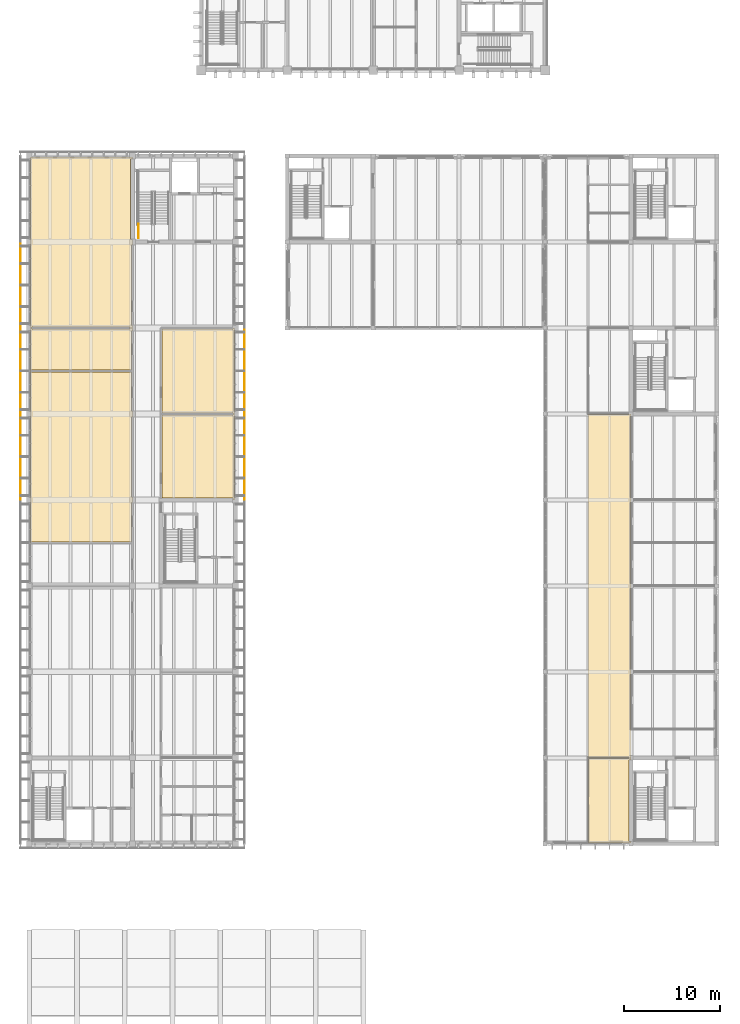
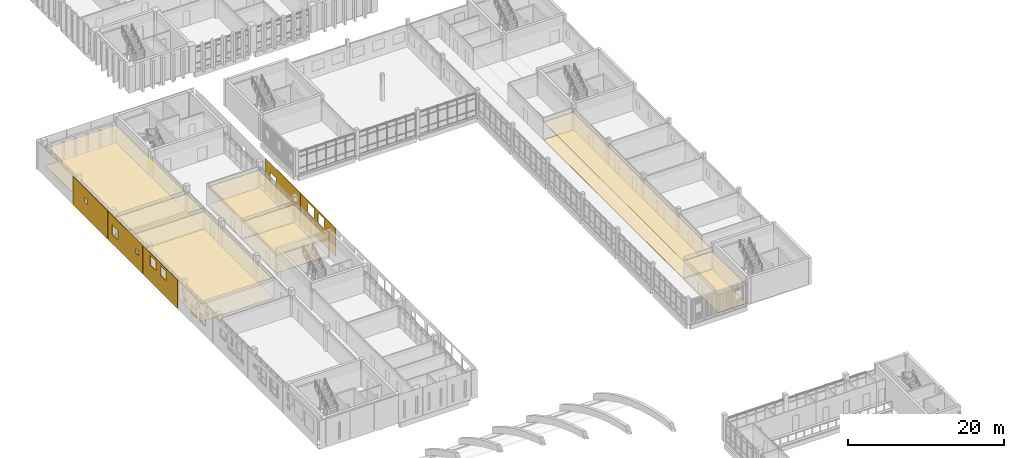
# One storey, part 76 of 88: 19 coverings, 1 railing.
"""IFC4 building model written with IfcOpenShell, lengths in metres."""

import ifcopenshell
import ifcopenshell.guid

model = None  # the IFC model being written
_history = None  # IfcOwnerHistory: only IFC2X3 demands one
_inside = {}  # id of a spatial element -> (the spatial element, [elements in it])
_under = {}  # id of a project, library or spatial element -> (it, [spatial elements below it])
_declared = {}  # id of a project -> (the project, [libraries it declares])
_typed = {}  # id of a type object -> (the type object, [elements of that type])
_made_of = {}  # id of a material, layer set ... -> (it, [elements and type objects made of it])


def new_model(schema):
    """Start an empty IFC model of exactly this schema.

    Asked for "IFC4X3", IfcOpenShell would pick the latest addendum, in which some entities
    have other attributes; the version numbers below select the first issue.
    IFC2X3 requires an IfcOwnerHistory on every rooted entity: one is made here for all.
    """
    global model, _history
    if schema == "IFC4X3":
        model = ifcopenshell.file(schema_version=(4, 3, 0, 0))
    else:
        model = ifcopenshell.file(schema=schema)
    _inside.clear()
    _under.clear()
    _declared.clear()
    _typed.clear()
    _made_of.clear()
    _history = None
    if model.schema == "IFC2X3":
        org = make("IfcOrganization", Name="unknown")
        user = make(
            "IfcPersonAndOrganization",
            ThePerson=make("IfcPerson", FamilyName="unknown"),
            TheOrganization=org,
        )
        app = make(
            "IfcApplication",
            ApplicationDeveloper=org,
            Version="unknown",
            ApplicationFullName="unknown",
            ApplicationIdentifier="unknown",
        )
        _history = make(
            "IfcOwnerHistory",
            OwningUser=user,
            OwningApplication=app,
            ChangeAction="ADDED",
            CreationDate=0,
        )
    return model


def make(cls, **values):
    """One entity of the class cls with the attributes given. An attribute that is None is left unset."""
    return model.create_entity(
        cls, **{name: value for name, value in values.items() if value is not None}
    )


def rooted(cls, **values):
    """An entity with a GlobalId (a new one), such as an element, a storey or a relation."""
    return make(cls, GlobalId=ifcopenshell.guid.new(), OwnerHistory=_history, **values)


def si_unit(unit_type, name, prefix=None):
    """IfcSIUnit, for example si_unit("LENGTHUNIT", "METRE", prefix="MILLI")."""
    return make("IfcSIUnit", UnitType=unit_type, Prefix=prefix, Name=name)


def assignment(units):
    """IfcUnitAssignment: the units of a project."""
    return None if units is None else make("IfcUnitAssignment", Units=units)


def point(xyz):
    """IfcCartesianPoint."""
    return None if xyz is None else make("IfcCartesianPoint", Coordinates=xyz)


def direction(xyz):
    """IfcDirection."""
    return None if xyz is None else make("IfcDirection", DirectionRatios=xyz)


def frame(location, z_axis=None, x_axis=None):
    """IfcAxis2Placement3D, a coordinate frame: its origin and axes. An axis left out is left unset."""
    return make(
        "IfcAxis2Placement3D",
        Location=point(location),
        Axis=direction(z_axis),
        RefDirection=direction(x_axis),
    )


def frame_2d(location, x_axis=None):
    """IfcAxis2Placement2D, a coordinate frame in the plane: its origin and x axis."""
    return make(
        "IfcAxis2Placement2D", Location=point(location), RefDirection=direction(x_axis)
    )


def origin():
    """The frame at (0, 0, 0) with its axes left unset."""
    return frame((0.0, 0.0, 0.0))


def origin_2d():
    """The frame at (0, 0) in the plane with its x axis left unset."""
    return frame_2d((0.0, 0.0))


def place(relative_to, where):
    """IfcLocalPlacement: puts the frame where relative to a parent placement (None: the world)."""
    return make(
        "IfcLocalPlacement", PlacementRelTo=relative_to, RelativePlacement=where
    )


def context(
    kind, dimensions, precision=None, world=None, true_north=None, identifier=None
):
    """IfcGeometricRepresentationContext, for example the 3D "Model" context."""
    return make(
        "IfcGeometricRepresentationContext",
        ContextIdentifier=identifier,
        ContextType=kind,
        CoordinateSpaceDimension=dimensions,
        Precision=precision,
        WorldCoordinateSystem=world,
        TrueNorth=true_north,
    )


def subcontext(parent, identifier, kind, view, scale=None):
    """IfcGeometricRepresentationSubContext, for example "Body" below "Model"."""
    return make(
        "IfcGeometricRepresentationSubContext",
        ContextIdentifier=identifier,
        ContextType=kind,
        ParentContext=parent,
        TargetScale=scale,
        TargetView=view,
    )


def project(units=None, contexts=None):
    """IfcProject with its units and contexts."""
    return rooted(
        "IfcProject",
        Name="project",
        RepresentationContexts=contexts,
        UnitsInContext=assignment(units),
    )


def spatial(cls, under=None, at=None, **own):
    """A site, building, storey or space (cls), placed at a placement, below another one or the project."""
    s = rooted(cls, ObjectPlacement=at, **own)
    if under is not None:
        _under.setdefault(under.id(), (under, []))[1].append(s)
    return s


def polyline(points):
    """IfcPolyline through the points."""
    return make("IfcPolyline", Points=[point(p) for p in points])


def profile(cls, at=None, kind="AREA", **sizes):
    """A parametric profile (cls). Its sizes go by their IFC names, for example OverallWidth=200.0."""
    return make(cls, ProfileType=kind, Position=at, **sizes)


def circle(**sizes):
    """IfcCircleProfileDef."""
    return profile("IfcCircleProfileDef", **sizes)


def outline(outer, holes=None, kind="AREA"):
    """IfcArbitraryClosedProfileDef: a profile drawn as a closed curve; with holes, ...WithVoids."""
    if holes is None:
        return make("IfcArbitraryClosedProfileDef", ProfileType=kind, OuterCurve=outer)
    return make(
        "IfcArbitraryProfileDefWithVoids",
        ProfileType=kind,
        OuterCurve=outer,
        InnerCurves=holes,
    )


def extrude(swept, where, along, depth):
    """IfcExtrudedAreaSolid: the profile swept, set in the frame where, extruded along a direction by depth."""
    return make(
        "IfcExtrudedAreaSolid",
        SweptArea=swept,
        Position=where,
        ExtrudedDirection=direction(along),
        Depth=depth,
    )


def shape(context_of_items, identifier, shape_type, items):
    """IfcShapeRepresentation: the items that make up one representation, for example the "Body"."""
    return make(
        "IfcShapeRepresentation",
        ContextOfItems=context_of_items,
        RepresentationIdentifier=identifier,
        RepresentationType=shape_type,
        Items=items,
    )


def source(mapping_origin, context_of_items, identifier, shape_type, items):
    """IfcRepresentationMap: a shape defined once, which mapped items show again and again."""
    return make(
        "IfcRepresentationMap",
        MappingOrigin=mapping_origin,
        MappedRepresentation=shape(context_of_items, identifier, shape_type, items),
    )


def transform(
    local_origin,
    x_axis=None,
    y_axis=None,
    z_axis=None,
    scale=None,
    scale2=None,
    scale3=None,
    uniform=True,
):
    """IfcCartesianTransformationOperator3D, or its non-uniform kind. x_axis, y_axis, z_axis: its Axis1, 2, 3."""
    if uniform:
        return make(
            "IfcCartesianTransformationOperator3D",
            Axis1=direction(x_axis),
            Axis2=direction(y_axis),
            LocalOrigin=point(local_origin),
            Scale=scale,
            Axis3=direction(z_axis),
        )
    return make(
        "IfcCartesianTransformationOperator3DnonUniform",
        Axis1=direction(x_axis),
        Axis2=direction(y_axis),
        LocalOrigin=point(local_origin),
        Scale=scale,
        Axis3=direction(z_axis),
        Scale2=scale2,
        Scale3=scale3,
    )


def mapped(mapping_source, mapping_target):
    """IfcMappedItem: shows the shape of a source again, moved by a transform."""
    return make(
        "IfcMappedItem", MappingSource=mapping_source, MappingTarget=mapping_target
    )


def material(Name=None, Category=None):
    """IfcMaterial."""
    return make("IfcMaterial", Name=Name, Category=Category)


def layer(
    of_material, thickness, ventilated=None, Name=None, Category=None, Priority=None
):
    """IfcMaterialLayer: one layer of a wall or slab, of a material (None: an air gap)."""
    return make(
        "IfcMaterialLayer",
        Material=of_material,
        LayerThickness=thickness,
        IsVentilated=ventilated,
        Name=Name,
        Category=Category,
        Priority=Priority,
    )


def layer_set(layers, Name=None):
    """IfcMaterialLayerSet."""
    return make("IfcMaterialLayerSet", MaterialLayers=layers, LayerSetName=Name)


def made_of(thing, what):
    """Note that an element or type object is made of a material, layer set ...; save() writes the relation."""
    if what is not None:
        _made_of.setdefault(what.id(), (what, []))[1].append(thing)
    return thing


def type_object(cls, material=None, **own):
    """A type object (cls), such as IfcWallType, which elements share."""
    return made_of(rooted(cls, **own), material)


def element(
    cls,
    number,
    at=None,
    inside=None,
    cuts=None,
    type_object=None,
    material=None,
    context=None,
    identifier="Body",
    shape_type=None,
    held_by="IfcProductDefinitionShape",
    body=None,
    shapes=None,
    **own,
):
    """One element of the class cls, such as IfcWall. Its Tag is "e" and its number.

    at: its placement. inside: the storey or other place that contains it. cuts: it is an
    opening in that element (IfcRelVoidsElement). A single representation is given by context,
    identifier, shape_type and body (its items); several are given by shapes. held_by: the class
    of the entity that holds the representations. save() writes the other relations.
    """
    e = rooted(cls, Tag="e%d" % number, ObjectPlacement=at, **own)
    if body is not None:
        shapes = [shape(context, identifier, shape_type, body)]
    if shapes is not None:
        e.Representation = make(held_by, Representations=shapes)
    if inside is not None:
        _inside.setdefault(inside.id(), (inside, []))[1].append(e)
    if cuts is not None:
        rooted(
            "IfcRelVoidsElement", RelatingBuildingElement=cuts, RelatedOpeningElement=e
        )
    if type_object is not None:
        _typed.setdefault(type_object.id(), (type_object, []))[1].append(e)
    return made_of(e, material)


def aggregate(whole, parts):
    """IfcRelAggregates: a whole, such as a stair, and the parts it consists of."""
    return rooted("IfcRelAggregates", RelatingObject=whole, RelatedObjects=parts)


def save(model, path):
    """Write the relations noted so far, then the file.

    IfcRelAggregates (storeys below a building ...), IfcRelContainedInSpatialStructure (elements
    in a storey), IfcRelDefinesByType, IfcRelAssociatesMaterial and IfcRelDeclares: one each for
    every whole, place, type object, material and project.
    """
    for whole, parts in _under.values():
        aggregate(whole, parts)
    for where, things in _inside.values():
        rooted(
            "IfcRelContainedInSpatialStructure",
            RelatedElements=things,
            RelatingStructure=where,
        )
    for kind, things in _typed.values():
        rooted("IfcRelDefinesByType", RelatedObjects=things, RelatingType=kind)
    for what, things in _made_of.values():
        rooted("IfcRelAssociatesMaterial", RelatedObjects=things, RelatingMaterial=what)
    for by, libraries in _declared.values():
        rooted("IfcRelDeclares", RelatingContext=by, RelatedDefinitions=libraries)
    model.write(path)


model = new_model("IFC4")

# Units and contexts
model_context = context("Model", 3, precision=1e-05, world=origin(), true_north=direction((0.0, 1.0)))
body_context = subcontext(model_context, "Body", "Model", "MODEL_VIEW")
ifc_project = project(units=[si_unit("LENGTHUNIT", "METRE"), si_unit("AREAUNIT", "SQUARE_METRE"), si_unit("VOLUMEUNIT", "CUBIC_METRE"), si_unit("PLANEANGLEUNIT", "RADIAN"), si_unit("MASSUNIT", "GRAM", prefix="KILO")], contexts=[model_context])

# Site, building, storey
site_placement = place(None, origin())
site = spatial("IfcSite", under=ifc_project, at=site_placement, CompositionType="ELEMENT")
building_placement = place(site_placement, origin())
building = spatial("IfcBuilding", under=site, at=building_placement, Name="Merrow Basin Faculty of Sciences", CompositionType="ELEMENT")
storey_placement = place(building_placement, frame((0.0, 0.0, 9.0)))
storey = spatial("IfcBuildingStorey", under=building, at=storey_placement, Name="L02", CompositionType="ELEMENT", Elevation=9.0)

# Coverings
ifc_material_1 = material(Name="Carpet tile floor")
ifc_layer_1 = layer(ifc_material_1, 0.02001953125)
ifc_layer_set_1 = layer_set([ifc_layer_1], Name="Carpet tile floor")
covering_type_1 = type_object("IfcCoveringType", Name="Carpet tile floor", PredefinedType="FLOORING", material=ifc_layer_set_1)
covering_1_placement = place(storey_placement, origin())
element("IfcCovering", 1, at=covering_1_placement, inside=storey, type_object=covering_type_1, Name="Floor finish L02-B-024", PredefinedType="FLOORING", context=body_context, shape_type="SweptSolid", body=[
    extrude(outline(polyline([(21.489990234375, 105.989990234375), (21.489990234375, 97.010009765625), (21.31005859375, 97.010009765625), (21.31005859375, 97.2099609375), (13.885009765625, 97.2099609375), (13.885009765625, 105.9150390625), (21.31005859375, 105.9150390625), (21.31005859375, 105.989990234375), (21.489990234375, 105.989990234375)])), origin(), (0.0, 0.0, 1.0), 0.02001953125),
])
covering_2_placement = place(storey_placement, origin())
element("IfcCovering", 2, at=covering_2_placement, inside=storey, type_object=covering_type_1, Name="Floor finish L02-C-020", PredefinedType="FLOORING", context=body_context, shape_type="SweptSolid", body=[
    extrude(outline(polyline([(62.989990234375, 105.989990234375), (62.989990234375, 105.784912109375), (62.93994140625, 105.784912109375), (62.93994140625, 97.215087890625), (62.989990234375, 97.215087890625), (62.989990234375, 96.784912109375), (62.93994140625, 96.784912109375), (62.93994140625, 88.215087890625), (62.989990234375, 88.215087890625), (62.989990234375, 87.784912109375), (62.93994140625, 87.784912109375), (62.93994140625, 79.215087890625), (62.989990234375, 79.215087890625), (62.989990234375, 78.784912109375), (62.93994140625, 78.784912109375), (62.93994140625, 72.989990234375), (62.989990234375, 72.989990234375), (62.989990234375, 70.010009765625), (62.784912109375, 70.010009765625), (62.784912109375, 70.06005859375), (58.510009765625, 70.06005859375), (58.510009765625, 105.93994140625), (62.784912109375, 105.93994140625), (62.784912109375, 105.989990234375), (62.989990234375, 105.989990234375)])), origin(), (0.0, 0.0, 1.0), 0.02001953125),
])
covering_3_placement = place(storey_placement, origin())
element("IfcCovering", 3, at=covering_3_placement, inside=storey, type_object=covering_type_1, Name="Floor finish L02-C-024", PredefinedType="FLOORING", context=body_context, shape_type="SweptSolid", body=[
    extrude(outline(polyline([(62.989990234375, 69.989990234375), (62.989990234375, 69.784912109375), (62.7900390625, 69.784912109375), (62.7900390625, 61.215087890625), (62.989990234375, 61.215087890625), (62.989990234375, 61.110107421875), (58.56005859375, 61.110107421875), (58.56005859375, 69.93994140625), (62.784912109375, 69.93994140625), (62.784912109375, 69.989990234375), (62.989990234375, 69.989990234375)])), origin(), (0.0, 0.0, 1.0), 0.02001953125),
])
ifc_material_2 = material(Name="Laboratory sheet vinyl floor")
ifc_layer_2 = layer(ifc_material_2, 0.02001953125)
ifc_layer_set_2 = layer_set([ifc_layer_2], Name="Laboratory sheet vinyl floor")
covering_type_2 = type_object("IfcCoveringType", Name="Laboratory sheet vinyl floor", PredefinedType="FLOORING", material=ifc_layer_set_2)
covering_4_placement = place(storey_placement, origin())
element("IfcCovering", 4, at=covering_4_placement, inside=storey, type_object=covering_type_2, Name="Floor finish L02-B-019", PredefinedType="FLOORING", context=body_context, shape_type="SweptSolid", body=[
    extrude(outline(polyline([(10.715087890625, 110.4150390625), (10.715087890625, 106.2900390625), (10.7900390625, 106.2900390625), (10.7900390625, 105.7099609375), (10.715087890625, 105.7099609375), (10.715087890625, 97.2900390625), (10.7900390625, 97.2900390625), (10.7900390625, 96.7099609375), (10.715087890625, 96.7099609375), (10.715087890625, 92.5849609375), (0.169921875, 92.5849609375), (0.169921875, 92.510009765625), (0.110107421875, 92.510009765625), (0.110107421875, 110.489990234375), (0.169921875, 110.489990234375), (0.169921875, 110.4150390625), (10.715087890625, 110.4150390625)])), origin(), (0.0, 0.0, 1.0), 0.02001953125),
])
covering_5_placement = place(storey_placement, origin())
element("IfcCovering", 5, at=covering_5_placement, inside=storey, type_object=covering_type_2, Name="Floor finish L02-B-020", PredefinedType="FLOORING", context=body_context, shape_type="SweptSolid", body=[
    extrude(outline(polyline([(10.715087890625, 110.5849609375), (0.169921875, 110.5849609375), (0.169921875, 110.510009765625), (0.110107421875, 110.510009765625), (0.110107421875, 114.989990234375), (0.2900390625, 114.989990234375), (0.2900390625, 114.9150390625), (10.510009765625, 114.9150390625), (10.510009765625, 114.989990234375), (10.7900390625, 114.989990234375), (10.7900390625, 114.7099609375), (10.715087890625, 114.7099609375), (10.715087890625, 110.5849609375)])), origin(), (0.0, 0.0, 1.0), 0.02001953125),
])
covering_6_placement = place(storey_placement, origin())
element("IfcCovering", 6, at=covering_6_placement, inside=storey, type_object=covering_type_2, Name="Floor finish L02-B-021", PredefinedType="FLOORING", context=body_context, shape_type="SweptSolid", body=[
    extrude(outline(polyline([(10.510009765625, 115.010009765625), (10.510009765625, 115.0849609375), (0.2900390625, 115.0849609375), (0.2900390625, 115.010009765625), (0.110107421875, 115.010009765625), (0.110107421875, 132.889892578125), (10.7900390625, 132.889892578125), (10.7900390625, 132.7099609375), (10.590087890625, 132.7099609375), (10.590087890625, 124.2900390625), (10.7900390625, 124.2900390625), (10.7900390625, 123.7099609375), (10.715087890625, 123.7099609375), (10.715087890625, 115.2900390625), (10.7900390625, 115.2900390625), (10.7900390625, 115.010009765625), (10.510009765625, 115.010009765625)])), origin(), (0.0, 0.0, 1.0), 0.02001953125),
])
covering_7_placement = place(storey_placement, origin())
element("IfcCovering", 7, at=covering_7_placement, inside=storey, type_object=covering_type_2, Name="Floor finish L02-B-025", PredefinedType="FLOORING", context=body_context, shape_type="SweptSolid", body=[
    extrude(outline(polyline([(21.489990234375, 114.989990234375), (21.489990234375, 106.010009765625), (21.31005859375, 106.010009765625), (21.31005859375, 106.0849609375), (13.885009765625, 106.0849609375), (13.885009765625, 114.9150390625), (21.31005859375, 114.9150390625), (21.31005859375, 114.989990234375), (21.489990234375, 114.989990234375)])), origin(), (0.0, 0.0, 1.0), 0.02001953125),
])

# Railing
ifc_material_3 = material(Name="Steel ASTM A36", Category="steel")
railing_type = type_object("IfcRailingType", Name="Steel guard 1100", PredefinedType="GUARDRAIL", material=ifc_material_3)
railing_placement = place(storey_placement, frame((11.449951171875, 124.39990234375, 0.0)))
element("IfcRailing", 8, at=railing_placement, inside=storey, type_object=railing_type, Name="L02 ST-V4-N stair guard 6", PredefinedType="GUARDRAIL", context=body_context, shape_type="SweptSolid", body=[
    extrude(circle(Radius=0.02392578125, at=origin_2d()), frame((0.0, 0.0, 1.076171875), z_axis=(0.0, 1.0, 0.0), x_axis=(-1.0, 0.0, 0.0)), (0.0, 0.0, 1.0), 1.5),
    extrude(circle(Radius=0.02099609375, at=origin_2d()), origin(), (0.0, 0.0, 1.0), 1.052001953125),
    extrude(circle(Radius=0.02099609375, at=origin_2d()), frame((0.0, 0.75, 0.0)), (0.0, 0.0, 1.0), 1.052001953125),
    extrude(circle(Radius=0.02099609375, at=origin_2d()), frame((0.0, 1.5, 0.0)), (0.0, 0.0, 1.0), 1.052001953125),
])

# Coverings
ifc_material_4 = material(Name="Mineral fibre ceiling tile")
ifc_layer_3 = layer(ifc_material_4, 0.050048828125)
ifc_layer_set_3 = layer_set([ifc_layer_3], Name="Suspended acoustic ceiling tile")
covering_type_3 = type_object("IfcCoveringType", Name="Suspended acoustic ceiling tile", PredefinedType="CEILING", material=ifc_layer_set_3)
covering_8_placement = place(storey_placement, frame((0.0, 0.0, 2.75)))
element("IfcCovering", 9, at=covering_8_placement, inside=storey, type_object=covering_type_3, Name="Ceiling L02-B-019", PredefinedType="CEILING", context=body_context, shape_type="SweptSolid", body=[
    extrude(outline(polyline([(10.715087890625, 110.4150390625), (10.715087890625, 106.2900390625), (10.7900390625, 106.2900390625), (10.7900390625, 105.7099609375), (10.715087890625, 105.7099609375), (10.715087890625, 97.2900390625), (10.7900390625, 97.2900390625), (10.7900390625, 96.7099609375), (10.715087890625, 96.7099609375), (10.715087890625, 92.5849609375), (0.169921875, 92.5849609375), (0.169921875, 92.510009765625), (0.110107421875, 92.510009765625), (0.110107421875, 110.489990234375), (0.169921875, 110.489990234375), (0.169921875, 110.4150390625), (10.715087890625, 110.4150390625)])), origin(), (0.0, 0.0, 1.0), 0.050048828125),
])
covering_9_placement = place(storey_placement, frame((0.0, 0.0, 2.75)))
element("IfcCovering", 10, at=covering_9_placement, inside=storey, type_object=covering_type_3, Name="Ceiling L02-B-020", PredefinedType="CEILING", context=body_context, shape_type="SweptSolid", body=[
    extrude(outline(polyline([(10.715087890625, 110.5849609375), (0.169921875, 110.5849609375), (0.169921875, 110.510009765625), (0.110107421875, 110.510009765625), (0.110107421875, 114.989990234375), (0.2900390625, 114.989990234375), (0.2900390625, 114.9150390625), (10.510009765625, 114.9150390625), (10.510009765625, 114.989990234375), (10.7900390625, 114.989990234375), (10.7900390625, 114.7099609375), (10.715087890625, 114.7099609375), (10.715087890625, 110.5849609375)])), origin(), (0.0, 0.0, 1.0), 0.050048828125),
])
covering_10_placement = place(storey_placement, frame((0.0, 0.0, 2.75)))
element("IfcCovering", 11, at=covering_10_placement, inside=storey, type_object=covering_type_3, Name="Ceiling L02-B-021", PredefinedType="CEILING", context=body_context, shape_type="SweptSolid", body=[
    extrude(outline(polyline([(10.510009765625, 115.010009765625), (10.510009765625, 115.0849609375), (0.2900390625, 115.0849609375), (0.2900390625, 115.010009765625), (0.110107421875, 115.010009765625), (0.110107421875, 132.889892578125), (10.7900390625, 132.889892578125), (10.7900390625, 132.7099609375), (10.590087890625, 132.7099609375), (10.590087890625, 124.2900390625), (10.7900390625, 124.2900390625), (10.7900390625, 123.7099609375), (10.715087890625, 123.7099609375), (10.715087890625, 115.2900390625), (10.7900390625, 115.2900390625), (10.7900390625, 115.010009765625), (10.510009765625, 115.010009765625)])), origin(), (0.0, 0.0, 1.0), 0.050048828125),
])
covering_11_placement = place(storey_placement, frame((0.0, 0.0, 2.75)))
element("IfcCovering", 12, at=covering_11_placement, inside=storey, type_object=covering_type_3, Name="Ceiling L02-B-024", PredefinedType="CEILING", context=body_context, shape_type="SweptSolid", body=[
    extrude(outline(polyline([(21.489990234375, 105.989990234375), (21.489990234375, 97.010009765625), (21.31005859375, 97.010009765625), (21.31005859375, 97.2099609375), (13.885009765625, 97.2099609375), (13.885009765625, 105.9150390625), (21.31005859375, 105.9150390625), (21.31005859375, 105.989990234375), (21.489990234375, 105.989990234375)])), origin(), (0.0, 0.0, 1.0), 0.050048828125),
])
covering_12_placement = place(storey_placement, frame((0.0, 0.0, 2.75)))
element("IfcCovering", 13, at=covering_12_placement, inside=storey, type_object=covering_type_3, Name="Ceiling L02-B-025", PredefinedType="CEILING", context=body_context, shape_type="SweptSolid", body=[
    extrude(outline(polyline([(21.489990234375, 114.989990234375), (21.489990234375, 106.010009765625), (21.31005859375, 106.010009765625), (21.31005859375, 106.0849609375), (13.885009765625, 106.0849609375), (13.885009765625, 114.9150390625), (21.31005859375, 114.9150390625), (21.31005859375, 114.989990234375), (21.489990234375, 114.989990234375)])), origin(), (0.0, 0.0, 1.0), 0.050048828125),
])
covering_13_placement = place(storey_placement, frame((0.0, 0.0, 2.75)))
element("IfcCovering", 14, at=covering_13_placement, inside=storey, type_object=covering_type_3, Name="Ceiling L02-C-020", PredefinedType="CEILING", context=body_context, shape_type="SweptSolid", body=[
    extrude(outline(polyline([(63.0, 106.0), (63.0, 105.77490234375), (62.949951171875, 105.77490234375), (62.949951171875, 97.22509765625), (63.0, 97.22509765625), (63.0, 96.77490234375), (62.949951171875, 96.77490234375), (62.949951171875, 88.22509765625), (63.0, 88.22509765625), (63.0, 87.77490234375), (62.949951171875, 87.77490234375), (62.949951171875, 79.22509765625), (63.0, 79.22509765625), (63.0, 78.77490234375), (62.949951171875, 78.77490234375), (62.949951171875, 73.0), (63.0, 73.0), (63.0, 70.0), (62.77490234375, 70.0), (62.77490234375, 70.050048828125), (58.5, 70.050048828125), (58.5, 105.949951171875), (62.77490234375, 105.949951171875), (62.77490234375, 106.0), (63.0, 106.0)])), origin(), (0.0, 0.0, 1.0), 0.050048828125),
])
covering_14_placement = place(storey_placement, frame((0.0, 0.0, 2.75)))
element("IfcCovering", 15, at=covering_14_placement, inside=storey, type_object=covering_type_3, Name="Ceiling L02-C-024", PredefinedType="CEILING", context=body_context, shape_type="SweptSolid", body=[
    extrude(outline(polyline([(63.0, 70.0), (63.0, 69.77490234375), (62.800048828125, 69.77490234375), (62.800048828125, 61.22509765625), (63.0, 61.22509765625), (63.0, 61.10009765625), (58.550048828125, 61.10009765625), (58.550048828125, 69.949951171875), (62.77490234375, 69.949951171875), (62.77490234375, 70.0), (63.0, 70.0)])), origin(), (0.0, 0.0, 1.0), 0.050048828125),
])
ifc_material_5 = material(Name="White powder-coated aluminium", Category="aluminium")
ifc_layer_4 = layer(ifc_material_5, 0.0400390625)
ifc_layer_set_4 = layer_set([ifc_layer_4], Name="Perforated panel 9000 x 4500")
covering_type_4 = type_object("IfcCoveringType", Name="Perforated panel 9000 x 4500", PredefinedType="CLADDING", material=ifc_layer_set_4)
shared_shape_1 = source(origin(), body_context, "Body", "SweptSolid", [
    extrude(outline(polyline([(0.02001953125, 0.02001953125), (8.97998046875, 0.02001953125), (8.97998046875, 4.47998046875), (0.02001953125, 4.47998046875), (0.02001953125, 0.02001953125)]), holes=[polyline([(3.0, 2.625), (4.5, 2.625), (4.5, 4.125), (3.0, 4.125), (3.0, 2.625)]), polyline([(5.625, 2.625), (7.125, 2.625), (7.125, 4.125), (5.625, 4.125), (5.625, 2.625)])]), origin(), (0.0, 0.0, 1.0), 0.0400390625),
])
covering_15_placement = place(storey_placement, frame((-0.93994140625, 97.0, -0.320068359375), z_axis=(1.0, 0.0, 0.0), x_axis=(0.0, 1.0, 0.0)))
element("IfcCovering", 16, at=covering_15_placement, inside=storey, type_object=covering_type_4, Name="Perforated panel WL02-05", PredefinedType="CLADDING", context=body_context, shape_type="MappedRepresentation", body=[
    mapped(shared_shape_1, transform((0.0, 0.0, 0.0), scale=1.0)),
])
shared_shape_2 = source(origin(), body_context, "Body", "SweptSolid", [
    extrude(outline(polyline([(0.02001953125, 0.02001953125), (8.97998046875, 0.02001953125), (8.97998046875, 4.47998046875), (0.02001953125, 4.47998046875), (0.02001953125, 0.02001953125)]), holes=[polyline([(4.5, 2.625), (6.0, 2.625), (6.0, 4.125), (4.5, 4.125), (4.5, 2.625)]), polyline([(1.875, 2.625), (3.375, 2.625), (3.375, 4.125), (1.875, 4.125), (1.875, 2.625)])]), origin(), (0.0, 0.0, 1.0), 0.0400390625),
])
covering_16_placement = place(storey_placement, frame((22.5400390625, 106.0, -0.320068359375), z_axis=(-1.0, 0.0, 0.0), x_axis=(0.0, -1.0, 0.0)))
element("IfcCovering", 17, at=covering_16_placement, inside=storey, type_object=covering_type_4, Name="Perforated panel EL02-05", PredefinedType="CLADDING", context=body_context, shape_type="MappedRepresentation", body=[
    mapped(shared_shape_2, transform((0.0, 0.0, 0.0), scale=1.0)),
])
shared_shape_3 = source(origin(), body_context, "Body", "SweptSolid", [
    extrude(outline(polyline([(0.02001953125, 0.02001953125), (8.97998046875, 0.02001953125), (8.97998046875, 4.47998046875), (0.02001953125, 4.47998046875), (0.02001953125, 0.02001953125)]), holes=[polyline([(6.375, 1.5), (7.875, 1.5), (7.875, 3.0), (6.375, 3.0), (6.375, 1.5)]), polyline([(1.125, 2.25), (1.875, 2.25), (1.875, 3.0), (1.125, 3.0), (1.125, 2.25)])]), origin(), (0.0, 0.0, 1.0), 0.0400390625),
])
covering_17_placement = place(storey_placement, frame((-0.93994140625, 106.0, -0.320068359375), z_axis=(1.0, 0.0, 0.0), x_axis=(0.0, 1.0, 0.0)))
element("IfcCovering", 18, at=covering_17_placement, inside=storey, type_object=covering_type_4, Name="Perforated panel WL02-06", PredefinedType="CLADDING", context=body_context, shape_type="MappedRepresentation", body=[
    mapped(shared_shape_3, transform((0.0, 0.0, 0.0), scale=1.0)),
])
shared_shape_4 = source(origin(), body_context, "Body", "SweptSolid", [
    extrude(outline(polyline([(0.02001953125, 0.02001953125), (8.97998046875, 0.02001953125), (8.97998046875, 4.47998046875), (0.02001953125, 4.47998046875), (0.02001953125, 0.02001953125)]), holes=[polyline([(1.125, 1.5), (2.625, 1.5), (2.625, 3.0), (1.125, 3.0), (1.125, 1.5)]), polyline([(7.125, 2.25), (7.875, 2.25), (7.875, 3.0), (7.125, 3.0), (7.125, 2.25)])]), origin(), (0.0, 0.0, 1.0), 0.0400390625),
])
covering_18_placement = place(storey_placement, frame((22.5400390625, 115.0, -0.320068359375), z_axis=(-1.0, 0.0, 0.0), x_axis=(0.0, -1.0, 0.0)))
element("IfcCovering", 19, at=covering_18_placement, inside=storey, type_object=covering_type_4, Name="Perforated panel EL02-06", PredefinedType="CLADDING", context=body_context, shape_type="MappedRepresentation", body=[
    mapped(shared_shape_4, transform((0.0, 0.0, 0.0), scale=1.0)),
])
shared_shape_5 = source(origin(), body_context, "Body", "SweptSolid", [
    extrude(outline(polyline([(0.02001953125, 0.02001953125), (8.97998046875, 0.02001953125), (8.97998046875, 4.47998046875), (0.02001953125, 4.47998046875), (0.02001953125, 0.02001953125)]), holes=[polyline([(5.25, 2.25), (6.0, 2.25), (6.0, 3.0), (5.25, 3.0), (5.25, 2.25)])]), origin(), (0.0, 0.0, 1.0), 0.0400390625),
])
covering_19_placement = place(storey_placement, frame((-0.93994140625, 115.0, -0.320068359375), z_axis=(1.0, 0.0, 0.0), x_axis=(0.0, 1.0, 0.0)))
element("IfcCovering", 20, at=covering_19_placement, inside=storey, type_object=covering_type_4, Name="Perforated panel WL02-07", PredefinedType="CLADDING", context=body_context, shape_type="MappedRepresentation", body=[
    mapped(shared_shape_5, transform((0.0, 0.0, 0.0), scale=1.0)),
])

save(model, "model.ifc")
